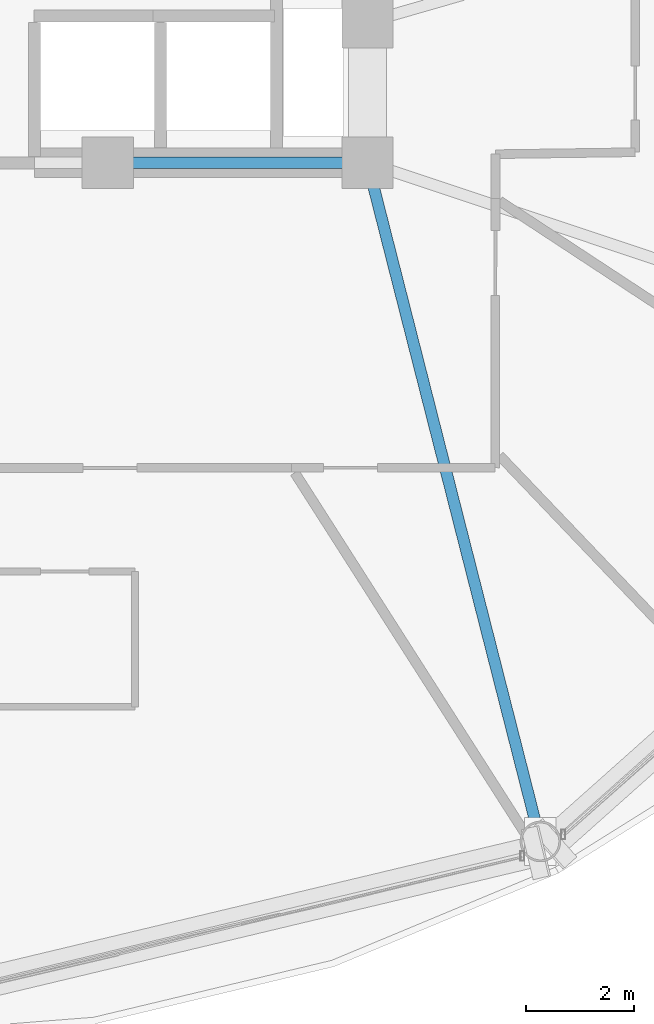
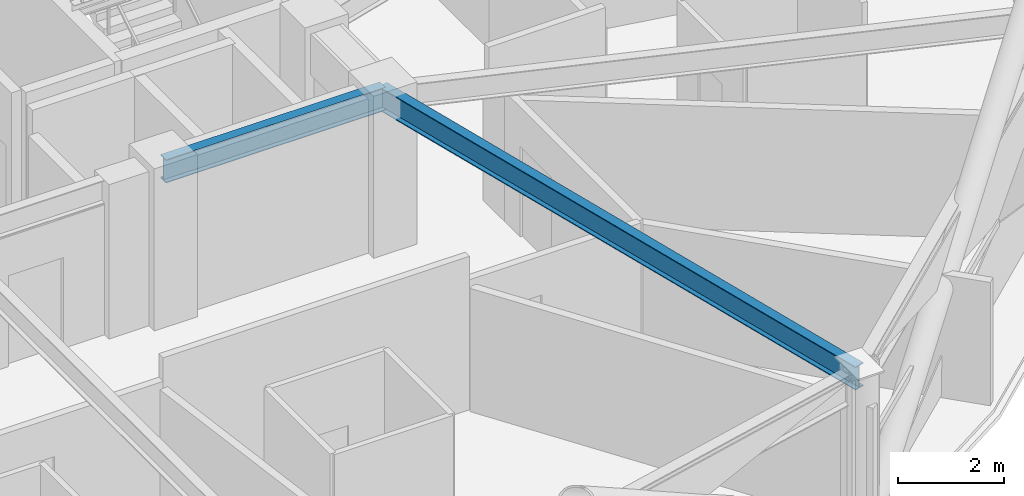
# One storey, part 9 of 32: 2 beams.
"""IFC4 building model written with IfcOpenShell, lengths in metres."""

from ifc_helpers import new_model, si_unit, direction, frame, origin, origin_2d, place, context, subcontext, project, spatial, i_section, extrude, material, material_profile, profile_set, type_object, element, save


model = new_model("IFC4")

# Units and contexts
model_context = context("Model", 3, precision=1e-05, world=origin(), true_north=direction((0.0, 1.0)))
body_context = subcontext(model_context, "Body", "Model", "MODEL_VIEW")
ifc_project = project(units=[si_unit("LENGTHUNIT", "METRE"), si_unit("AREAUNIT", "SQUARE_METRE"), si_unit("VOLUMEUNIT", "CUBIC_METRE"), si_unit("PLANEANGLEUNIT", "RADIAN"), si_unit("MASSUNIT", "GRAM", prefix="KILO")], contexts=[model_context])

# Site, building, storey
site_placement = place(None, origin())
site = spatial("IfcSite", under=ifc_project, at=site_placement, CompositionType="ELEMENT")
building_placement = place(site_placement, origin())
building = spatial("IfcBuilding", under=site, at=building_placement, Name="Vantalir Tower", CompositionType="ELEMENT")
storey_placement = place(building_placement, frame((0.0, 0.0, 104.699951171875)))
storey = spatial("IfcBuildingStorey", under=building, at=storey_placement, Name="L25", CompositionType="ELEMENT", Elevation=104.699951171875)

# Beams
ifc_material = material(Name="Steel S355", Category="steel")
ifc_material_profile = material_profile(ifc_material, i_section(OverallWidth=0.2109375, OverallDepth=0.5390625, WebThickness=0.01171875, FlangeThickness=0.018798828125, at=origin_2d()), Name="Steel S355")
ifc_profile_set = profile_set([ifc_material_profile], Name="Steel S355")
beam_type = type_object("IfcBeamType", Name="BM-RB-533x210", PredefinedType="BEAM", material=ifc_profile_set)
beam_1_placement = place(storey_placement, frame((36.300048828125, 17.800048828125, 3.300048828125), z_axis=(1.0, 0.0, 0.0), x_axis=(0.0, 1.0, 0.0)))
element("IfcBeam", 1, at=beam_1_placement, inside=storey, type_object=beam_type, Name="L25 Core Coupling Girder 04", PredefinedType="BEAM", context=body_context, shape_type="SweptSolid", body=[
    extrude(i_section(OverallWidth=0.2109375, OverallDepth=0.5390625, WebThickness=0.01171875, FlangeThickness=0.018798828125, at=origin_2d()), origin(), (0.0, 0.0, 1.0), 4.800048828125),
])
beam_2_placement = place(storey_placement, frame((44.2939453125, 5.264892578125, 3.300048828125), z_axis=(-0.246902931602, 0.969040217105, 0.0), x_axis=(-0.969040217105, -0.246902931602, 0.0)))
element("IfcBeam", 2, at=beam_2_placement, inside=storey, type_object=beam_type, Name="L25 Radial Floor Beam 11", PredefinedType="BEAM", context=body_context, shape_type="SweptSolid", body=[
    extrude(i_section(OverallWidth=0.2109375, OverallDepth=0.5390625, WebThickness=0.01171875, FlangeThickness=0.018798828125, at=origin_2d()), origin(), (0.0, 0.0, 1.0), 12.935546875),
])

save(model, "model.ifc")
